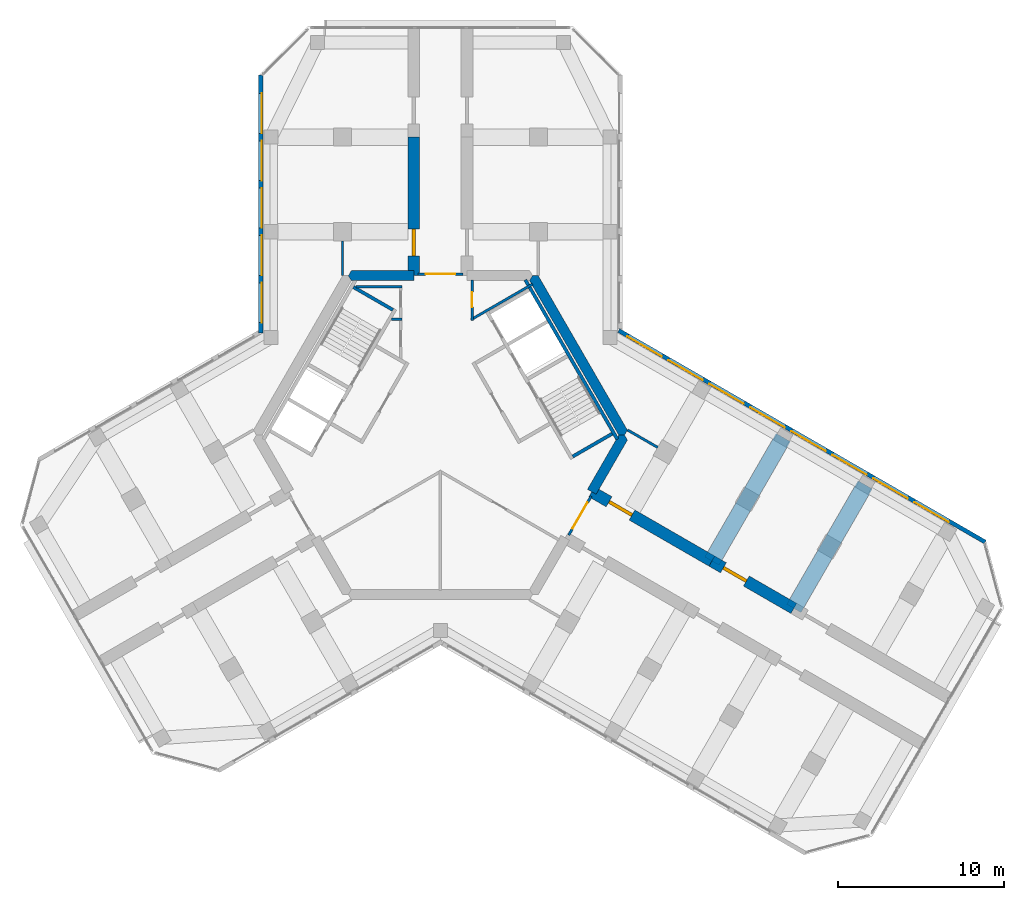
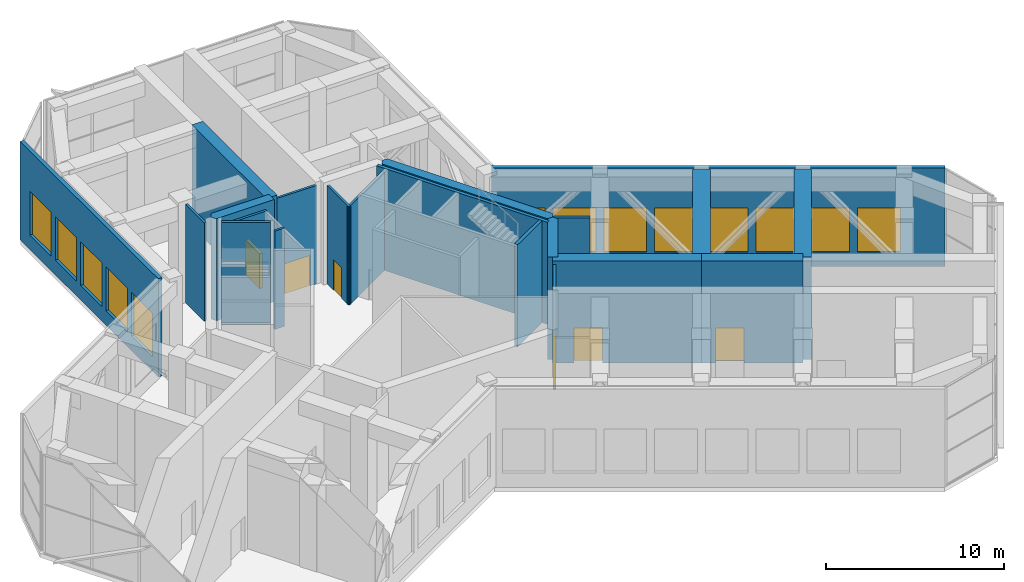
# One storey, part 10 of 12: 21 walls, 13 windows, 6 doors, 19 openings.
"""IFC4 building model written with IfcOpenShell, lengths in metres."""

from ifc_helpers import new_model, si_unit, direction, frame, frame_2d, origin, place, context, subcontext, project, spatial, polyline, rectangle, outline, extrude, material, layer, layer_set, type_object, element, fill, save


model = new_model("IFC4")

# Units and contexts
model_context = context("Model", 3, precision=1e-05, world=origin(), true_north=direction((0.0, 1.0)))
body_context = subcontext(model_context, "Body", "Model", "MODEL_VIEW")
ifc_project = project(units=[si_unit("LENGTHUNIT", "METRE"), si_unit("AREAUNIT", "SQUARE_METRE"), si_unit("VOLUMEUNIT", "CUBIC_METRE"), si_unit("PLANEANGLEUNIT", "RADIAN"), si_unit("MASSUNIT", "GRAM", prefix="KILO")], contexts=[model_context])

# Site, building, storey
site_placement = place(None, origin())
site = spatial("IfcSite", under=ifc_project, at=site_placement, CompositionType="ELEMENT")
building_placement = place(site_placement, origin())
building = spatial("IfcBuilding", under=site, at=building_placement, Name="Kosmar Iwan School Tower", CompositionType="ELEMENT")
storey_placement = place(building_placement, frame((0.0, 0.0, 260.39990234375)))
storey = spatial("IfcBuildingStorey", under=building, at=storey_placement, Name="L66", CompositionType="ELEMENT", Elevation=260.39990234375)

# Walls
ifc_material_1 = material(Name="Gypsum board on steel studs, fire-rated", Category="steel")
ifc_layer_1 = layer(ifc_material_1, 0.14990234375)
ifc_layer_set_1 = layer_set([ifc_layer_1], Name="Core room partition 150")
wall_type_1 = type_object("IfcWallType", Name="Core room partition 150", PredefinedType="PARTITIONING", material=ifc_layer_set_1)
wall_1_placement = place(storey_placement, frame((-2.324951171875, 6.985107421875, 0.0), z_axis=(0.0, 0.0, 1.0), x_axis=(-1.0, 0.0, 0.0)))
element("IfcWall", 1, at=wall_1_placement, inside=storey, type_object=wall_type_1, Name="Core room partition L66-CW2", PredefinedType="PARTITIONING", context=body_context, shape_type="SweptSolid", body=[
    extrude(rectangle(XDim=0.623779296875, YDim=0.14990234375, at=frame_2d((0.31201171875, 0.0))), origin(), (0.0, 0.0, 1.0), 6.75),
])
wall_2_placement = place(storey_placement, frame((-5.089599609375, 8.93994140625, 0.0), z_axis=(0.0, 0.0, 1.0), x_axis=(1.0, 0.0, 0.0)))
element("IfcWall", 2, at=wall_2_placement, inside=storey, type_object=wall_type_1, Name="Core room partition L66-CW3", PredefinedType="PARTITIONING", context=body_context, shape_type="SweptSolid", body=[
    extrude(rectangle(XDim=2.7646484375, YDim=0.14990234375, at=frame_2d((1.38232421875, 0.0))), origin(), (0.0, 0.0, 1.0), 6.75),
])
wall_3_placement = place(storey_placement, frame((5.54296875, 9.089111328125, 0.0), z_axis=(0.0, 0.0, 1.0), x_axis=(-0.866045054481, -0.49996596245, 0.0)))
element("IfcWall", 3, at=wall_3_placement, inside=storey, type_object=wall_type_1, Name="Core room partition L66-CW8", PredefinedType="PARTITIONING", context=body_context, shape_type="SweptSolid", body=[
    extrude(rectangle(XDim=4.281494140625, YDim=0.14990234375, at=frame_2d((2.140625, 0.0))), origin(), (0.0, 0.0, 1.0), 6.75),
])

# Wall, opening, door
wall_4_placement = place(storey_placement, frame((1.89990234375, 6.910888671875, 0.0), z_axis=(0.0, 0.0, 1.0), x_axis=(0.0, 1.0, 0.0)))
wall_4 = element("IfcWall", 4, at=wall_4_placement, inside=storey, type_object=wall_type_1, Name="Core room partition L66-CW9", PredefinedType="PARTITIONING", context=body_context, shape_type="SweptSolid", body=[
    extrude(rectangle(XDim=2.43408203125, YDim=0.14990234375, at=frame_2d((1.217041015625, 0.0))), origin(), (0.0, 0.0, 1.0), 6.75),
])
opening_1_placement = place(wall_4_placement, frame((0.802001953125, 0.0, 0.0)))
opening_1 = element("IfcOpeningElement", 5, at=opening_1_placement, cuts=wall_4, Name="Opening D14", PredefinedType="OPENING", context=body_context, shape_type="SweptSolid", body=[
    extrude(rectangle(XDim=0.89990234375, YDim=2.10009765625, at=frame_2d((0.449951171875, 1.050048828125))), frame((0.0, 0.0869140625, 0.0), z_axis=(0.0, -1.0, 0.0), x_axis=(1.0, 0.0, 0.0)), (0.0, 0.0, 1.0), 0.173828125),
])
ifc_material_2 = material(Name="Timber fire door in steel frame", Category="steel")
door_type_1 = type_object("IfcDoorType", Name="Core room door 900x2100", OperationType="SINGLE_SWING_LEFT", PredefinedType="DOOR", material=ifc_material_2)
door_1_placement = place(opening_1_placement, origin())
door_1 = element("IfcDoor", 6, at=door_1_placement, inside=storey, type_object=door_type_1, Name="Communications room door L66 5", OperationType="SINGLE_SWING_RIGHT", OverallHeight=2.10009765625, OverallWidth=0.89990234375, PredefinedType="DOOR", context=body_context, shape_type="SweptSolid", body=[
    extrude(rectangle(XDim=0.89990234375, YDim=2.10009765625, at=frame_2d((0.449951171875, 1.050048828125))), frame((0.0, 0.02490234375, 0.0), z_axis=(0.0, -1.0, 0.0), x_axis=(1.0, 0.0, 0.0)), (0.0, 0.0, 1.0), 0.050048828125),
])
fill(opening_1, door_1)

# Walls
ifc_material_3 = material(Name="Concrete C50/60", Category="concrete")
ifc_layer_2 = layer(ifc_material_3, 0.60009765625)
ifc_layer_set_2 = layer_set([ifc_layer_2], Name="Core wall 600")
wall_type_2 = type_object("IfcWallType", Name="Core wall 600", PredefinedType="SHEAR", material=ifc_layer_set_2)
wall_5_placement = place(storey_placement, origin())
element("IfcWall", 7, at=wall_5_placement, inside=storey, type_object=wall_type_2, Name="Core wall F030", PredefinedType="SHEAR", context=body_context, shape_type="SweptSolid", body=[
    extrude(outline(polyline([(10.73876953125, 0.0), (11.085205078125, 0.0), (11.25830078125, 0.300048828125), (5.888916015625, 9.60009765625), (5.54248046875, 9.60009765625), (5.369384765625, 9.300048828125), (10.73876953125, 0.0)])), origin(), (0.0, 0.0, 1.0), 7.0),
])
wall_6_placement = place(storey_placement, origin())
element("IfcWall", 8, at=wall_6_placement, inside=storey, type_object=wall_type_2, Name="Core wall F090b", PredefinedType="SHEAR", context=body_context, shape_type="SweptSolid", body=[
    extrude(outline(polyline([(-5.369384765625, 9.300048828125), (-1.60009765625, 9.300048828125), (-1.60009765625, 9.89990234375), (-5.369384765625, 9.89990234375), (-5.54248046875, 9.60009765625), (-5.369384765625, 9.300048828125)])), origin(), (0.0, 0.0, 1.0), 7.0),
])
wall_7_placement = place(storey_placement, origin())
element("IfcWall", 9, at=wall_7_placement, inside=storey, type_object=wall_type_2, Name="Core wall F330b", PredefinedType="SHEAR", context=body_context, shape_type="SweptSolid", body=[
    extrude(outline(polyline([(9.37353515625, -3.564453125), (11.25830078125, -0.300048828125), (11.085205078125, 0.0), (10.73876953125, 0.0), (8.85400390625, -3.264404296875), (9.37353515625, -3.564453125)])), origin(), (0.0, 0.0, 1.0), 7.0),
])

# Wall, opening, door
ifc_material_4 = material(Name="Concrete C50/60", Category="concrete")
ifc_layer_3 = layer(ifc_material_4, 0.699951171875)
ifc_layer_set_3 = layer_set([ifc_layer_3], Name="Corridor buttress wall 700")
wall_type_3 = type_object("IfcWallType", Name="Corridor buttress wall 700", PredefinedType="SHEAR", material=ifc_layer_set_3)
wall_8_placement = place(storey_placement, frame((-1.60009765625, 9.60009765625, 0.0), z_axis=(0.0, 0.0, 1.0), x_axis=(0.0, 1.0, 0.0)))
wall_8 = element("IfcWall", 10, at=wall_8_placement, inside=storey, type_object=wall_type_3, Name="Corridor wall AL", PredefinedType="SHEAR", context=body_context, shape_type="SweptSolid", body=[
    extrude(rectangle(XDim=8.349853515625, YDim=0.699951171875, at=frame_2d((4.1748046875, 0.0))), origin(), (0.0, 0.0, 1.0), 7.0),
])
opening_2_placement = place(wall_8_placement, frame((1.199951171875, 0.0, 0.0)))
opening_2 = element("IfcOpeningElement", 11, at=opening_2_placement, cuts=wall_8, Name="Opening D5", PredefinedType="OPENING", context=body_context, shape_type="SweptSolid", body=[
    extrude(rectangle(XDim=1.60009765625, YDim=2.39990234375, at=frame_2d((0.800048828125, 1.199951171875))), frame((0.0, 0.362060546875, 0.0), z_axis=(0.0, -1.0, 0.0), x_axis=(1.0, 0.0, 0.0)), (0.0, 0.0, 1.0), 0.723876953125),
])
ifc_material_5 = material(Name="Steel fire door", Category="steel")
door_type_2 = type_object("IfcDoorType", Name="Plant room door pair 1600x2400", OperationType="DOUBLE_DOOR_SINGLE_SWING", PredefinedType="DOOR", material=ifc_material_5)
door_2_placement = place(opening_2_placement, origin())
door_2 = element("IfcDoor", 12, at=door_2_placement, inside=storey, type_object=door_type_2, Name="Refuge area door L66-AL1", OperationType="DOUBLE_DOOR_SINGLE_SWING", OverallHeight=2.39990234375, OverallWidth=1.60009765625, PredefinedType="DOOR", context=body_context, shape_type="SweptSolid", body=[
    extrude(rectangle(XDim=1.60009765625, YDim=2.39990234375, at=frame_2d((0.800048828125, 1.199951171875))), frame((0.0, 0.10009765625, 0.0), z_axis=(0.0, -1.0, 0.0), x_axis=(1.0, 0.0, 0.0)), (0.0, 0.0, 1.0), 0.199951171875),
])
fill(opening_2, door_2)

wall_9_placement = place(storey_placement, frame((9.11376953125, -3.414306640625, 0.0), z_axis=(0.0, 0.0, 1.0), x_axis=(0.866026859388, -0.499997478812, 0.0)))
wall_9 = element("IfcWall", 13, at=wall_9_placement, inside=storey, type_object=wall_type_3, Name="Corridor wall CL", PredefinedType="SHEAR", context=body_context, shape_type="SweptSolid", body=[
    extrude(rectangle(XDim=8.35009765625, YDim=0.699951171875, at=frame_2d((4.175048828125, 0.0))), origin(), (0.0, 0.0, 1.0), 7.0),
])
opening_3_placement = place(wall_9_placement, frame((1.199951171875, 0.0, 0.0)))
opening_3 = element("IfcOpeningElement", 14, at=opening_3_placement, cuts=wall_9, Name="Opening D5", PredefinedType="OPENING", context=body_context, shape_type="SweptSolid", body=[
    extrude(rectangle(XDim=1.60009765625, YDim=2.39990234375, at=frame_2d((0.800048828125, 1.199951171875))), frame((0.0, 0.362060546875, 0.0), z_axis=(0.0, -1.0, 0.0), x_axis=(1.0, 0.0, 0.0)), (0.0, 0.0, 1.0), 0.723876953125),
])
door_3_placement = place(opening_3_placement, origin())
door_3 = element("IfcDoor", 15, at=door_3_placement, inside=storey, type_object=door_type_2, Name="Refuge area door L66-CL1", OperationType="DOUBLE_DOOR_SINGLE_SWING", OverallHeight=2.39990234375, OverallWidth=1.60009765625, PredefinedType="DOOR", context=body_context, shape_type="SweptSolid", body=[
    extrude(rectangle(XDim=1.60009765625, YDim=2.39990234375, at=frame_2d((0.800048828125, 1.199951171875))), frame((0.0, 0.10009765625, 0.0), z_axis=(0.0, -1.0, 0.0), x_axis=(1.0, 0.0, 0.0)), (0.0, 0.0, 1.0), 0.199951171875),
])
fill(opening_3, door_3)

wall_10_placement = place(storey_placement, frame((16.34521484375, -7.58935546875, 0.0), z_axis=(0.0, 0.0, 1.0), x_axis=(0.866015111908, -0.50001782563, 0.0)))
wall_10 = element("IfcWall", 16, at=wall_10_placement, inside=storey, type_object=wall_type_3, Name="Corridor wall CL bay 2", PredefinedType="SHEAR", context=body_context, shape_type="SweptSolid", body=[
    extrude(rectangle(XDim=5.699951171875, YDim=0.699951171875, at=frame_2d((2.85009765625, 0.0))), origin(), (0.0, 0.0, 1.0), 7.0),
])
opening_4_placement = place(wall_10_placement, frame((0.800048828125, 0.0, 0.0)))
opening_4 = element("IfcOpeningElement", 17, at=opening_4_placement, cuts=wall_10, Name="Opening D5", PredefinedType="OPENING", context=body_context, shape_type="SweptSolid", body=[
    extrude(rectangle(XDim=1.60009765625, YDim=2.39990234375, at=frame_2d((0.800048828125, 1.199951171875))), frame((0.0, 0.362060546875, 0.0), z_axis=(0.0, -1.0, 0.0), x_axis=(1.0, 0.0, 0.0)), (0.0, 0.0, 1.0), 0.723876953125),
])
door_4_placement = place(opening_4_placement, origin())
door_4 = element("IfcDoor", 18, at=door_4_placement, inside=storey, type_object=door_type_2, Name="Lift machine room door L66-CL2", OperationType="DOUBLE_DOOR_SINGLE_SWING", OverallHeight=2.39990234375, OverallWidth=1.60009765625, PredefinedType="DOOR", context=body_context, shape_type="SweptSolid", body=[
    extrude(rectangle(XDim=1.60009765625, YDim=2.39990234375, at=frame_2d((0.800048828125, 1.199951171875))), frame((0.0, 0.10009765625, 0.0), z_axis=(0.0, -1.0, 0.0), x_axis=(1.0, 0.0, 0.0)), (0.0, 0.0, 1.0), 0.199951171875),
])
fill(opening_4, door_4)

ifc_material_6 = material(Name="Steel framed glazed screen", Category="steel")
ifc_layer_4 = layer(ifc_material_6, 0.14990234375)
ifc_layer_set_4 = layer_set([ifc_layer_4], Name="Corridor screen wall 150")
wall_type_4 = type_object("IfcWallType", Name="Corridor screen wall 150", PredefinedType="PARTITIONING", material=ifc_layer_set_4)
wall_11_placement = place(storey_placement, frame((1.35009765625, 9.699951171875, 0.0), z_axis=(0.0, 0.0, 1.0), x_axis=(-1.0, 0.0, 0.0)))
wall_11 = element("IfcWall", 19, at=wall_11_placement, inside=storey, type_object=wall_type_4, Name="Corridor screen A L66", PredefinedType="PARTITIONING", context=body_context, shape_type="SweptSolid", body=[
    extrude(rectangle(XDim=2.7001953125, YDim=0.14990234375, at=frame_2d((1.35009765625, 0.0))), origin(), (0.0, 0.0, 1.0), 6.75),
])
opening_5_placement = place(wall_11_placement, frame((0.449951171875, 0.0, 0.0)))
opening_5 = element("IfcOpeningElement", 20, at=opening_5_placement, cuts=wall_11, Name="Opening D9", PredefinedType="OPENING", context=body_context, shape_type="SweptSolid", body=[
    extrude(rectangle(XDim=1.800048828125, YDim=2.10009765625, at=frame_2d((0.89990234375, 1.050048828125))), frame((0.0, 0.0869140625, 0.0), z_axis=(0.0, -1.0, 0.0), x_axis=(1.0, 0.0, 0.0)), (0.0, 0.0, 1.0), 0.173828125),
])
ifc_material_7 = material(Name="Steel framed glazed smoke door", Category="steel")
door_type_3 = type_object("IfcDoorType", Name="Corridor smoke door pair 1800x2100", OperationType="DOUBLE_DOOR_DOUBLE_SWING", PredefinedType="DOOR", material=ifc_material_7)
door_5_placement = place(opening_5_placement, origin())
door_5 = element("IfcDoor", 21, at=door_5_placement, inside=storey, type_object=door_type_3, Name="Corridor doors A L66", OperationType="DOUBLE_DOOR_DOUBLE_SWING", OverallHeight=2.10009765625, OverallWidth=1.800048828125, PredefinedType="DOOR", context=body_context, shape_type="SweptSolid", body=[
    extrude(rectangle(XDim=1.800048828125, YDim=2.10009765625, at=frame_2d((0.89990234375, 1.050048828125))), frame((0.0, 0.02490234375, 0.0), z_axis=(0.0, -1.0, 0.0), x_axis=(1.0, 0.0, 0.0)), (0.0, 0.0, 1.0), 0.050048828125),
])
fill(opening_5, door_5)

wall_12_placement = place(storey_placement, frame((7.725341796875, -6.01904296875, 0.0), z_axis=(0.0, 0.0, 1.0), x_axis=(0.500048589285, 0.86599734893, 0.0)))
wall_12 = element("IfcWall", 22, at=wall_12_placement, inside=storey, type_object=wall_type_4, Name="Corridor screen C L66", PredefinedType="PARTITIONING", context=body_context, shape_type="SweptSolid", body=[
    extrude(rectangle(XDim=2.699951171875, YDim=0.14990234375, at=frame_2d((1.35009765625, 0.0))), origin(), (0.0, 0.0, 1.0), 6.75),
])
opening_6_placement = place(wall_12_placement, frame((0.449951171875, 0.0, 0.0)))
opening_6 = element("IfcOpeningElement", 23, at=opening_6_placement, cuts=wall_12, Name="Opening D9", PredefinedType="OPENING", context=body_context, shape_type="SweptSolid", body=[
    extrude(rectangle(XDim=1.800048828125, YDim=2.10009765625, at=frame_2d((0.89990234375, 1.050048828125))), frame((0.0, 0.0869140625, 0.0), z_axis=(0.0, -1.0, 0.0), x_axis=(1.0, 0.0, 0.0)), (0.0, 0.0, 1.0), 0.173828125),
])
door_6_placement = place(opening_6_placement, origin())
door_6 = element("IfcDoor", 24, at=door_6_placement, inside=storey, type_object=door_type_3, Name="Corridor doors C L66", OperationType="DOUBLE_DOOR_DOUBLE_SWING", OverallHeight=2.10009765625, OverallWidth=1.800048828125, PredefinedType="DOOR", context=body_context, shape_type="SweptSolid", body=[
    extrude(rectangle(XDim=1.800048828125, YDim=2.10009765625, at=frame_2d((0.89990234375, 1.050048828125))), frame((0.0, 0.02490234375, 0.0), z_axis=(0.0, -1.0, 0.0), x_axis=(1.0, 0.0, 0.0)), (0.0, 0.0, 1.0), 0.050048828125),
])
fill(opening_6, door_6)

# Wall, openings, windows
ifc_material_8 = material(Name="Black aluminium rainscreen on insulated framing", Category="aluminium")
ifc_layer_5 = layer(ifc_material_8, 0.25)
ifc_layer_set_5 = layer_set([ifc_layer_5], Name="External wall rainscreen 250")
wall_type_5 = type_object("IfcWallType", Name="External wall rainscreen 250", PredefinedType="SOLIDWALL", material=ifc_layer_set_5)
wall_13_placement = place(storey_placement, frame((10.73681640625, 6.30078125, 0.0), z_axis=(0.0, 0.0, 1.0), x_axis=(0.866026390279, -0.499998291337, 0.0)))
wall_13 = element("IfcWall", 25, at=wall_13_placement, inside=storey, type_object=wall_type_5, Name="External wall CL L66", PredefinedType="SOLIDWALL", context=body_context, shape_type="SweptSolid", body=[
    extrude(rectangle(XDim=25.4873046875, YDim=0.25, at=frame_2d((12.74365234375, 0.0))), origin(), (0.0, 0.0, 1.0), 6.75),
])
opening_7_placement = place(wall_13_placement, frame((0.626953125, 0.0, 1.0)))
opening_7 = element("IfcOpeningElement", 26, at=opening_7_placement, cuts=wall_13, Name="Opening LV1", PredefinedType="OPENING", context=body_context, shape_type="SweptSolid", body=[
    extrude(rectangle(XDim=2.39990234375, YDim=3.0, at=frame_2d((1.199951171875, 1.5))), frame((0.0, 0.136962890625, 0.0), z_axis=(0.0, -1.0, 0.0), x_axis=(1.0, 0.0, 0.0)), (0.0, 0.0, 1.0), 0.27392578125),
])
opening_8_placement = place(wall_13_placement, frame((3.47705078125, 0.0, 1.0)))
opening_8 = element("IfcOpeningElement", 27, at=opening_8_placement, cuts=wall_13, Name="Opening LV1", PredefinedType="OPENING", context=body_context, shape_type="SweptSolid", body=[
    extrude(rectangle(XDim=2.39990234375, YDim=3.0, at=frame_2d((1.199951171875, 1.5))), frame((0.0, 0.136962890625, 0.0), z_axis=(0.0, -1.0, 0.0), x_axis=(1.0, 0.0, 0.0)), (0.0, 0.0, 1.0), 0.27392578125),
])
opening_9_placement = place(wall_13_placement, frame((6.326904296875, 0.0, 1.0)))
opening_9 = element("IfcOpeningElement", 28, at=opening_9_placement, cuts=wall_13, Name="Opening LV1", PredefinedType="OPENING", context=body_context, shape_type="SweptSolid", body=[
    extrude(rectangle(XDim=2.39990234375, YDim=3.0, at=frame_2d((1.199951171875, 1.5))), frame((0.0, 0.136962890625, 0.0), z_axis=(0.0, -1.0, 0.0), x_axis=(1.0, 0.0, 0.0)), (0.0, 0.0, 1.0), 0.27392578125),
])
opening_10_placement = place(wall_13_placement, frame((9.177001953125, 0.0, 1.0)))
opening_10 = element("IfcOpeningElement", 29, at=opening_10_placement, cuts=wall_13, Name="Opening LV1", PredefinedType="OPENING", context=body_context, shape_type="SweptSolid", body=[
    extrude(rectangle(XDim=2.39990234375, YDim=3.0, at=frame_2d((1.199951171875, 1.5))), frame((0.0, 0.136962890625, 0.0), z_axis=(0.0, -1.0, 0.0), x_axis=(1.0, 0.0, 0.0)), (0.0, 0.0, 1.0), 0.27392578125),
])
opening_11_placement = place(wall_13_placement, frame((12.027099609375, 0.0, 1.0)))
opening_11 = element("IfcOpeningElement", 30, at=opening_11_placement, cuts=wall_13, Name="Opening LV1", PredefinedType="OPENING", context=body_context, shape_type="SweptSolid", body=[
    extrude(rectangle(XDim=2.39990234375, YDim=3.0, at=frame_2d((1.199951171875, 1.5))), frame((0.0, 0.136962890625, 0.0), z_axis=(0.0, -1.0, 0.0), x_axis=(1.0, 0.0, 0.0)), (0.0, 0.0, 1.0), 0.27392578125),
])
opening_12_placement = place(wall_13_placement, frame((14.876953125, 0.0, 1.0)))
opening_12 = element("IfcOpeningElement", 31, at=opening_12_placement, cuts=wall_13, Name="Opening LV1", PredefinedType="OPENING", context=body_context, shape_type="SweptSolid", body=[
    extrude(rectangle(XDim=2.39990234375, YDim=3.0, at=frame_2d((1.199951171875, 1.5))), frame((0.0, 0.136962890625, 0.0), z_axis=(0.0, -1.0, 0.0), x_axis=(1.0, 0.0, 0.0)), (0.0, 0.0, 1.0), 0.27392578125),
])
opening_13_placement = place(wall_13_placement, frame((17.72705078125, 0.0, 1.0)))
opening_13 = element("IfcOpeningElement", 32, at=opening_13_placement, cuts=wall_13, Name="Opening LV1", PredefinedType="OPENING", context=body_context, shape_type="SweptSolid", body=[
    extrude(rectangle(XDim=2.39990234375, YDim=3.0, at=frame_2d((1.199951171875, 1.5))), frame((0.0, 0.136962890625, 0.0), z_axis=(0.0, -1.0, 0.0), x_axis=(1.0, 0.0, 0.0)), (0.0, 0.0, 1.0), 0.27392578125),
])
opening_14_placement = place(wall_13_placement, frame((20.576904296875, 0.0, 1.0)))
opening_14 = element("IfcOpeningElement", 33, at=opening_14_placement, cuts=wall_13, Name="Opening LV1", PredefinedType="OPENING", context=body_context, shape_type="SweptSolid", body=[
    extrude(rectangle(XDim=2.39990234375, YDim=3.0, at=frame_2d((1.199951171875, 1.5))), frame((0.0, 0.136962890625, 0.0), z_axis=(0.0, -1.0, 0.0), x_axis=(1.0, 0.0, 0.0)), (0.0, 0.0, 1.0), 0.27392578125),
])
ifc_material_9 = material(Name="Black aluminium louvre", Category="aluminium")
window_type = type_object("IfcWindowType", Name="Plant louvre 2400x3000", PartitioningType="SINGLE_PANEL", PredefinedType="USERDEFINED", material=ifc_material_9)
window_1_placement = place(opening_7_placement, origin())
window_1 = element("IfcWindow", 34, at=window_1_placement, inside=storey, type_object=window_type, Name="Window CL L66 -1", ObjectType="LOUVRE", OverallHeight=3.0, OverallWidth=2.39990234375, PartitioningType="SINGLE_PANEL", PredefinedType="USERDEFINED", context=body_context, shape_type="SweptSolid", body=[
    extrude(rectangle(XDim=2.39990234375, YDim=3.0, at=frame_2d((1.199951171875, 1.5))), frame((0.0, -0.050048828125, 0.0), z_axis=(0.0, -1.0, 0.0), x_axis=(1.0, 0.0, 0.0)), (0.0, 0.0, 1.0), 0.02001953125),
])
fill(opening_7, window_1)
window_2_placement = place(opening_8_placement, origin())
window_2 = element("IfcWindow", 35, at=window_2_placement, inside=storey, type_object=window_type, Name="Window CL L66 0", ObjectType="LOUVRE", OverallHeight=3.0, OverallWidth=2.39990234375, PartitioningType="SINGLE_PANEL", PredefinedType="USERDEFINED", context=body_context, shape_type="SweptSolid", body=[
    extrude(rectangle(XDim=2.39990234375, YDim=3.0, at=frame_2d((1.199951171875, 1.5))), frame((0.0, -0.050048828125, 0.0), z_axis=(0.0, -1.0, 0.0), x_axis=(1.0, 0.0, 0.0)), (0.0, 0.0, 1.0), 0.02001953125),
])
fill(opening_8, window_2)
window_3_placement = place(opening_9_placement, origin())
window_3 = element("IfcWindow", 36, at=window_3_placement, inside=storey, type_object=window_type, Name="Window CL L66 1", ObjectType="LOUVRE", OverallHeight=3.0, OverallWidth=2.39990234375, PartitioningType="SINGLE_PANEL", PredefinedType="USERDEFINED", context=body_context, shape_type="SweptSolid", body=[
    extrude(rectangle(XDim=2.39990234375, YDim=3.0, at=frame_2d((1.199951171875, 1.5))), frame((0.0, -0.050048828125, 0.0), z_axis=(0.0, -1.0, 0.0), x_axis=(1.0, 0.0, 0.0)), (0.0, 0.0, 1.0), 0.02001953125),
])
fill(opening_9, window_3)
window_4_placement = place(opening_10_placement, origin())
window_4 = element("IfcWindow", 37, at=window_4_placement, inside=storey, type_object=window_type, Name="Window CL L66 2", ObjectType="LOUVRE", OverallHeight=3.0, OverallWidth=2.39990234375, PartitioningType="SINGLE_PANEL", PredefinedType="USERDEFINED", context=body_context, shape_type="SweptSolid", body=[
    extrude(rectangle(XDim=2.39990234375, YDim=3.0, at=frame_2d((1.199951171875, 1.5))), frame((0.0, -0.050048828125, 0.0), z_axis=(0.0, -1.0, 0.0), x_axis=(1.0, 0.0, 0.0)), (0.0, 0.0, 1.0), 0.02001953125),
])
fill(opening_10, window_4)
window_5_placement = place(opening_11_placement, origin())
window_5 = element("IfcWindow", 38, at=window_5_placement, inside=storey, type_object=window_type, Name="Window CL L66 3", ObjectType="LOUVRE", OverallHeight=3.0, OverallWidth=2.39990234375, PartitioningType="SINGLE_PANEL", PredefinedType="USERDEFINED", context=body_context, shape_type="SweptSolid", body=[
    extrude(rectangle(XDim=2.39990234375, YDim=3.0, at=frame_2d((1.199951171875, 1.5))), frame((0.0, -0.050048828125, 0.0), z_axis=(0.0, -1.0, 0.0), x_axis=(1.0, 0.0, 0.0)), (0.0, 0.0, 1.0), 0.02001953125),
])
fill(opening_11, window_5)
window_6_placement = place(opening_12_placement, origin())
window_6 = element("IfcWindow", 39, at=window_6_placement, inside=storey, type_object=window_type, Name="Window CL L66 4", ObjectType="LOUVRE", OverallHeight=3.0, OverallWidth=2.39990234375, PartitioningType="SINGLE_PANEL", PredefinedType="USERDEFINED", context=body_context, shape_type="SweptSolid", body=[
    extrude(rectangle(XDim=2.39990234375, YDim=3.0, at=frame_2d((1.199951171875, 1.5))), frame((0.0, -0.050048828125, 0.0), z_axis=(0.0, -1.0, 0.0), x_axis=(1.0, 0.0, 0.0)), (0.0, 0.0, 1.0), 0.02001953125),
])
fill(opening_12, window_6)
window_7_placement = place(opening_13_placement, origin())
window_7 = element("IfcWindow", 40, at=window_7_placement, inside=storey, type_object=window_type, Name="Window CL L66 5", ObjectType="LOUVRE", OverallHeight=3.0, OverallWidth=2.39990234375, PartitioningType="SINGLE_PANEL", PredefinedType="USERDEFINED", context=body_context, shape_type="SweptSolid", body=[
    extrude(rectangle(XDim=2.39990234375, YDim=3.0, at=frame_2d((1.199951171875, 1.5))), frame((0.0, -0.050048828125, 0.0), z_axis=(0.0, -1.0, 0.0), x_axis=(1.0, 0.0, 0.0)), (0.0, 0.0, 1.0), 0.02001953125),
])
fill(opening_13, window_7)
window_8_placement = place(opening_14_placement, origin())
window_8 = element("IfcWindow", 41, at=window_8_placement, inside=storey, type_object=window_type, Name="Window CL L66 6", ObjectType="LOUVRE", OverallHeight=3.0, OverallWidth=2.39990234375, PartitioningType="SINGLE_PANEL", PredefinedType="USERDEFINED", context=body_context, shape_type="SweptSolid", body=[
    extrude(rectangle(XDim=2.39990234375, YDim=3.0, at=frame_2d((1.199951171875, 1.5))), frame((0.0, -0.050048828125, 0.0), z_axis=(0.0, -1.0, 0.0), x_axis=(1.0, 0.0, 0.0)), (0.0, 0.0, 1.0), 0.02001953125),
])
fill(opening_14, window_8)

wall_14_placement = place(storey_placement, frame((-10.824951171875, 6.14794921875, 0.0), z_axis=(0.0, 0.0, 1.0), x_axis=(0.0, 1.0, 0.0)))
wall_14 = element("IfcWall", 42, at=wall_14_placement, inside=storey, type_object=wall_type_5, Name="External wall AL L66", PredefinedType="SOLIDWALL", context=body_context, shape_type="SweptSolid", body=[
    extrude(rectangle(XDim=15.537353515625, YDim=0.25, at=frame_2d((7.7685546875, 0.0))), origin(), (0.0, 0.0, 1.0), 6.75),
])
opening_15_placement = place(wall_14_placement, frame((0.626953125, 0.0, 1.0)))
opening_15 = element("IfcOpeningElement", 43, at=opening_15_placement, cuts=wall_14, Name="Opening LV1", PredefinedType="OPENING", context=body_context, shape_type="SweptSolid", body=[
    extrude(rectangle(XDim=2.39990234375, YDim=3.0, at=frame_2d((1.199951171875, 1.5))), frame((0.0, 0.136962890625, 0.0), z_axis=(0.0, -1.0, 0.0), x_axis=(1.0, 0.0, 0.0)), (0.0, 0.0, 1.0), 0.27392578125),
])
opening_16_placement = place(wall_14_placement, frame((3.47705078125, 0.0, 1.0)))
opening_16 = element("IfcOpeningElement", 44, at=opening_16_placement, cuts=wall_14, Name="Opening LV1", PredefinedType="OPENING", context=body_context, shape_type="SweptSolid", body=[
    extrude(rectangle(XDim=2.39990234375, YDim=3.0, at=frame_2d((1.199951171875, 1.5))), frame((0.0, 0.136962890625, 0.0), z_axis=(0.0, -1.0, 0.0), x_axis=(1.0, 0.0, 0.0)), (0.0, 0.0, 1.0), 0.27392578125),
])
opening_17_placement = place(wall_14_placement, frame((6.326904296875, 0.0, 1.0)))
opening_17 = element("IfcOpeningElement", 45, at=opening_17_placement, cuts=wall_14, Name="Opening LV1", PredefinedType="OPENING", context=body_context, shape_type="SweptSolid", body=[
    extrude(rectangle(XDim=2.39990234375, YDim=3.0, at=frame_2d((1.199951171875, 1.5))), frame((0.0, 0.136962890625, 0.0), z_axis=(0.0, -1.0, 0.0), x_axis=(1.0, 0.0, 0.0)), (0.0, 0.0, 1.0), 0.27392578125),
])
opening_18_placement = place(wall_14_placement, frame((9.177001953125, 0.0, 1.0)))
opening_18 = element("IfcOpeningElement", 46, at=opening_18_placement, cuts=wall_14, Name="Opening LV1", PredefinedType="OPENING", context=body_context, shape_type="SweptSolid", body=[
    extrude(rectangle(XDim=2.39990234375, YDim=3.0, at=frame_2d((1.199951171875, 1.5))), frame((0.0, 0.136962890625, 0.0), z_axis=(0.0, -1.0, 0.0), x_axis=(1.0, 0.0, 0.0)), (0.0, 0.0, 1.0), 0.27392578125),
])
opening_19_placement = place(wall_14_placement, frame((12.027099609375, 0.0, 1.0)))
opening_19 = element("IfcOpeningElement", 47, at=opening_19_placement, cuts=wall_14, Name="Opening LV1", PredefinedType="OPENING", context=body_context, shape_type="SweptSolid", body=[
    extrude(rectangle(XDim=2.39990234375, YDim=3.0, at=frame_2d((1.199951171875, 1.5))), frame((0.0, 0.136962890625, 0.0), z_axis=(0.0, -1.0, 0.0), x_axis=(1.0, 0.0, 0.0)), (0.0, 0.0, 1.0), 0.27392578125),
])
window_9_placement = place(opening_15_placement, origin())
window_9 = element("IfcWindow", 48, at=window_9_placement, inside=storey, type_object=window_type, Name="Window AL L66 -1", ObjectType="LOUVRE", OverallHeight=3.0, OverallWidth=2.39990234375, PartitioningType="SINGLE_PANEL", PredefinedType="USERDEFINED", context=body_context, shape_type="SweptSolid", body=[
    extrude(rectangle(XDim=2.39990234375, YDim=3.0, at=frame_2d((1.199951171875, 1.5))), frame((0.0, -0.050048828125, 0.0), z_axis=(0.0, -1.0, 0.0), x_axis=(1.0, 0.0, 0.0)), (0.0, 0.0, 1.0), 0.02001953125),
])
fill(opening_15, window_9)
window_10_placement = place(opening_16_placement, origin())
window_10 = element("IfcWindow", 49, at=window_10_placement, inside=storey, type_object=window_type, Name="Window AL L66 0", ObjectType="LOUVRE", OverallHeight=3.0, OverallWidth=2.39990234375, PartitioningType="SINGLE_PANEL", PredefinedType="USERDEFINED", context=body_context, shape_type="SweptSolid", body=[
    extrude(rectangle(XDim=2.39990234375, YDim=3.0, at=frame_2d((1.199951171875, 1.5))), frame((0.0, -0.050048828125, 0.0), z_axis=(0.0, -1.0, 0.0), x_axis=(1.0, 0.0, 0.0)), (0.0, 0.0, 1.0), 0.02001953125),
])
fill(opening_16, window_10)
window_11_placement = place(opening_17_placement, origin())
window_11 = element("IfcWindow", 50, at=window_11_placement, inside=storey, type_object=window_type, Name="Window AL L66 1", ObjectType="LOUVRE", OverallHeight=3.0, OverallWidth=2.39990234375, PartitioningType="SINGLE_PANEL", PredefinedType="USERDEFINED", context=body_context, shape_type="SweptSolid", body=[
    extrude(rectangle(XDim=2.39990234375, YDim=3.0, at=frame_2d((1.199951171875, 1.5))), frame((0.0, -0.050048828125, 0.0), z_axis=(0.0, -1.0, 0.0), x_axis=(1.0, 0.0, 0.0)), (0.0, 0.0, 1.0), 0.02001953125),
])
fill(opening_17, window_11)
window_12_placement = place(opening_18_placement, origin())
window_12 = element("IfcWindow", 51, at=window_12_placement, inside=storey, type_object=window_type, Name="Window AL L66 2", ObjectType="LOUVRE", OverallHeight=3.0, OverallWidth=2.39990234375, PartitioningType="SINGLE_PANEL", PredefinedType="USERDEFINED", context=body_context, shape_type="SweptSolid", body=[
    extrude(rectangle(XDim=2.39990234375, YDim=3.0, at=frame_2d((1.199951171875, 1.5))), frame((0.0, -0.050048828125, 0.0), z_axis=(0.0, -1.0, 0.0), x_axis=(1.0, 0.0, 0.0)), (0.0, 0.0, 1.0), 0.02001953125),
])
fill(opening_18, window_12)
window_13_placement = place(opening_19_placement, origin())
window_13 = element("IfcWindow", 52, at=window_13_placement, inside=storey, type_object=window_type, Name="Window AL L66 3", ObjectType="LOUVRE", OverallHeight=3.0, OverallWidth=2.39990234375, PartitioningType="SINGLE_PANEL", PredefinedType="USERDEFINED", context=body_context, shape_type="SweptSolid", body=[
    extrude(rectangle(XDim=2.39990234375, YDim=3.0, at=frame_2d((1.199951171875, 1.5))), frame((0.0, -0.050048828125, 0.0), z_axis=(0.0, -1.0, 0.0), x_axis=(1.0, 0.0, 0.0)), (0.0, 0.0, 1.0), 0.02001953125),
])
fill(opening_19, window_13)

# Walls
ifc_material_10 = material(Name="Concrete C50/60", Category="concrete")
ifc_layer_6 = layer(ifc_material_10, 0.199951171875)
ifc_layer_set_6 = layer_set([ifc_layer_6], Name="Lift shaft wall 200")
wall_type_6 = type_object("IfcWallType", Name="Lift shaft wall 200", PredefinedType="SHEAR", material=ifc_layer_set_6)
wall_15_placement = place(storey_placement, frame((10.652099609375, -0.25, 0.0), z_axis=(0.0, 0.0, 1.0), x_axis=(-0.499990629522, 0.866030813765, 0.0)))
element("IfcWall", 53, at=wall_15_placement, inside=storey, type_object=wall_type_6, Name="Lift and stair back wall AC", PredefinedType="SHEAR", context=body_context, shape_type="SweptSolid", body=[
    extrude(rectangle(XDim=11.085205078125, YDim=0.199951171875, at=frame_2d((5.54248046875, 0.0))), origin(), (0.0, 0.0, 1.0), 7.0),
])
ifc_material_11 = material(Name="Concrete C50/60", Category="concrete")
ifc_layer_7 = layer(ifc_material_11, 1.0)
ifc_layer_set_7 = layer_set([ifc_layer_7], Name="Outrigger wall 1000")
wall_type_7 = type_object("IfcWallType", Name="Outrigger wall 1000", PredefinedType="SHEAR", material=ifc_layer_set_7)
wall_16_placement = place(storey_placement, frame((16.34521484375, -7.58935546875, 0.0), z_axis=(0.0, 0.0, 1.0), x_axis=(0.500007509209, 0.866021068297, 0.0)))
element("IfcWall", 54, at=wall_16_placement, inside=storey, type_object=wall_type_7, Name="Outrigger wall CL", PredefinedType="SHEAR", context=body_context, shape_type="SweptSolid", body=[
    extrude(rectangle(XDim=8.599853515625, YDim=1.0, at=frame_2d((4.2998046875, 0.0))), origin(), (0.0, 0.0, 1.0), 7.0),
])
wall_17_placement = place(storey_placement, frame((21.281494140625, -10.439453125, 0.0), z_axis=(0.0, 0.0, 1.0), x_axis=(0.499995216735, 0.866028165386, 0.0)))
element("IfcWall", 55, at=wall_17_placement, inside=storey, type_object=wall_type_7, Name="Outrigger wall CL", PredefinedType="SHEAR", context=body_context, shape_type="SweptSolid", body=[
    extrude(rectangle(XDim=8.60009765625, YDim=1.0, at=frame_2d((4.300048828125, 0.0))), origin(), (0.0, 0.0, 1.0), 7.0),
])
ifc_material_12 = material(Name="Gypsum board on steel studs", Category="steel")
ifc_layer_8 = layer(ifc_material_12, 0.14990234375)
ifc_layer_set_8 = layer_set([ifc_layer_8], Name="School partition 150")
wall_type_8 = type_object("IfcWallType", Name="School partition 150", PredefinedType="PARTITIONING", material=ifc_layer_set_8)
wall_18_placement = place(storey_placement, frame((-5.89990234375, 9.60009765625, 0.0), z_axis=(0.0, 0.0, 1.0), x_axis=(0.0, 1.0, 0.0)))
element("IfcWall", 56, at=wall_18_placement, inside=storey, type_object=wall_type_8, Name="Partition L66-AL-NB", PredefinedType="PARTITIONING", context=body_context, shape_type="SweptSolid", body=[
    extrude(rectangle(XDim=2.099853515625, YDim=0.14990234375, at=frame_2d((1.0498046875, 0.0))), origin(), (0.0, 0.0, 1.0), 6.75),
])
wall_19_placement = place(storey_placement, frame((11.263916015625, 0.3095703125, 0.0), z_axis=(0.0, 0.0, 1.0), x_axis=(0.866009402589, -0.500027713859, 0.0)))
element("IfcWall", 57, at=wall_19_placement, inside=storey, type_object=wall_type_8, Name="Partition L66-CL-NB", PredefinedType="PARTITIONING", context=body_context, shape_type="SweptSolid", body=[
    extrude(rectangle(XDim=2.10009765625, YDim=0.14990234375, at=frame_2d((1.050048828125, 0.0))), origin(), (0.0, 0.0, 1.0), 6.75),
])
ifc_material_13 = material(Name="Concrete C50/60", Category="concrete")
ifc_layer_9 = layer(ifc_material_13, 0.199951171875)
ifc_layer_set_9 = layer_set([ifc_layer_9], Name="Stair enclosure wall 200")
wall_type_9 = type_object("IfcWallType", Name="Stair enclosure wall 200", PredefinedType="SHEAR", material=ifc_layer_set_9)
for number, where, z_axis, x_axis, name in (
    (58, (-2.862548828125, 7.541748046875, 0.0), (0.0, 0.0, 1.0), (-0.866027397988, 0.499996545922, 0.0), "Stair ST2 wall"),
    (59, (7.962646484375, -1.291748046875, 0.0), (0.0, 0.0, 1.0), (0.866027397988, 0.499996545922, 0.0), "Stair ST1 wall"),
):
    element("IfcWall", number, at=place(storey_placement, frame(where, z_axis=z_axis, x_axis=x_axis)), inside=storey, type_object=wall_type_9, Name=name, PredefinedType="SHEAR", context=body_context, shape_type="SweptSolid", body=[
        extrude(rectangle(XDim=2.75, YDim=0.199951171875, at=frame_2d((1.375, 0.0))), origin(), (0.0, 0.0, 1.0), 7.0),
    ])

save(model, "model.ifc")
